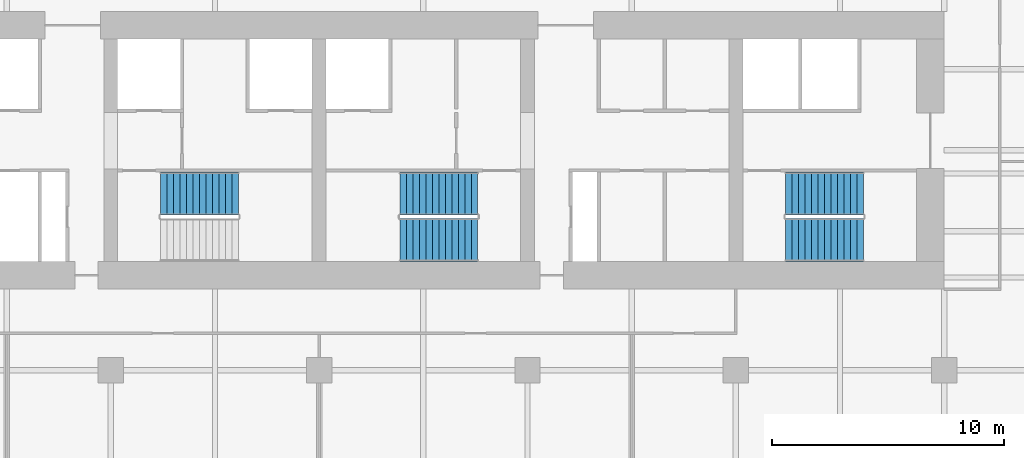
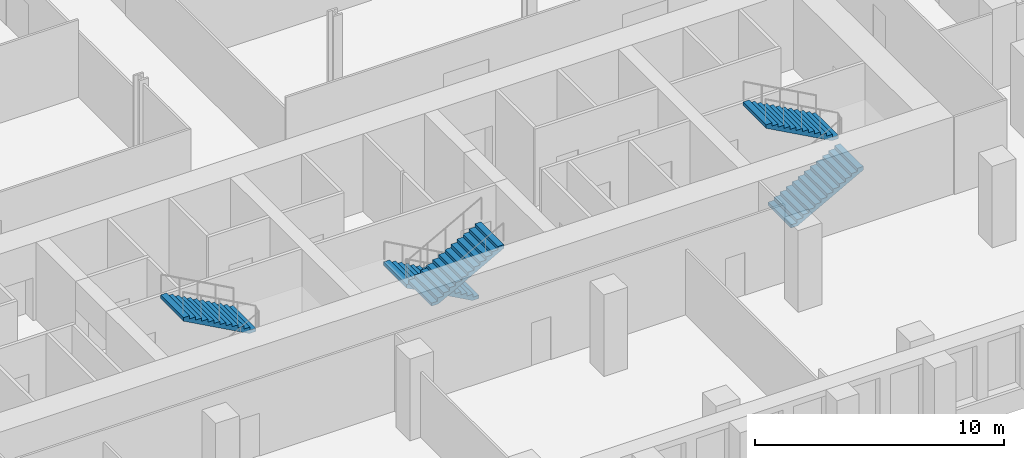
# One storey, part 9 of 11: 5 stair flights, 3 elements without a shape of their own.
"""IFC4 building model written with IfcOpenShell, lengths in metres."""

from ifc_helpers import new_model, si_unit, direction, frame, origin, place, context, subcontext, project, spatial, polyline, outline, extrude, material, type_object, element, aggregate, save


model = new_model("IFC4")

# Units and contexts
model_context = context("Model", 3, precision=1e-05, world=origin(), true_north=direction((0.0, 1.0)))
body_context = subcontext(model_context, "Body", "Model", "MODEL_VIEW")
ifc_project = project(units=[si_unit("LENGTHUNIT", "METRE"), si_unit("AREAUNIT", "SQUARE_METRE"), si_unit("VOLUMEUNIT", "CUBIC_METRE"), si_unit("PLANEANGLEUNIT", "RADIAN"), si_unit("MASSUNIT", "GRAM", prefix="KILO")], contexts=[model_context])

# Site, building, storey
site_placement = place(None, origin())
site = spatial("IfcSite", under=ifc_project, at=site_placement, CompositionType="ELEMENT")
building_placement = place(site_placement, origin())
building = spatial("IfcBuilding", under=site, at=building_placement, Name="Zellij Exchange Tower", CompositionType="ELEMENT")
storey_placement = place(building_placement, frame((0.0, 0.0, 80.5)))
storey = spatial("IfcBuildingStorey", under=building, at=storey_placement, Name="L16", CompositionType="ELEMENT", Elevation=80.5)

# Stair, stair flight
ifc_material = material(Name="Concrete C40/50", Category="concrete")
stair_type = type_object("IfcStairType", Name="CORE-ST exit stair 1850 wide", PredefinedType="HALF_TURN_STAIR", material=ifc_material)
stair_1_placement = place(storey_placement, origin())
stair_1 = element("IfcStair", 1, at=stair_1_placement, inside=storey, type_object=stair_type, Name="L16 exit stair ST2", PredefinedType="HALF_TURN_STAIR")
stair_flight_type = type_object("IfcStairFlightType", Name="CORE-SF flight 1850 riser 153.8 going 280", PredefinedType="STRAIGHT", material=ifc_material)
stair_flight_1_placement = place(storey_placement, frame((-3.489990234375, -9.875, 2.0), z_axis=(0.0, 0.0, 1.0), x_axis=(-1.0, 0.0, 0.0)))
stair_flight_1 = element("IfcStairFlight", 2, at=stair_flight_1_placement, type_object=stair_flight_type, Name="ST2 flight 2", NumberOfRisers=13, NumberOfTreads=12, PredefinedType="STRAIGHT", RiserHeight=0.153846154, TreadLength=0.28, context=body_context, shape_type="SweptSolid", body=[
    extrude(outline(polyline([(0.0, 0.0), (0.0, 0.15380859375), (0.280029296875, 0.15380859375), (0.280029296875, 0.3076171875), (0.56005859375, 0.3076171875), (0.56005859375, 0.46142578125), (0.840087890625, 0.46142578125), (0.840087890625, 0.615478515625), (1.1201171875, 0.615478515625), (1.1201171875, 0.769287109375), (1.39990234375, 0.769287109375), (1.39990234375, 0.923095703125), (1.679931640625, 0.923095703125), (1.679931640625, 1.076904296875), (1.9599609375, 1.076904296875), (1.9599609375, 1.230712890625), (2.239990234375, 1.230712890625), (2.239990234375, 1.384521484375), (2.52001953125, 1.384521484375), (2.52001953125, 1.53857421875), (2.800048828125, 1.53857421875), (2.800048828125, 1.6923828125), (3.080078125, 1.6923828125), (3.080078125, 1.84619140625), (3.360107421875, 1.84619140625), (3.360107421875, 2.0), (3.360107421875, 1.675048828125), (0.311279296875, 0.0), (0.0, 0.0)])), frame((0.0, 0.925048828125, 0.0), z_axis=(0.0, -1.0, 0.0), x_axis=(1.0, 0.0, 0.0)), (0.0, 0.0, 1.0), 1.85009765625),
])
aggregate(stair_1, [stair_flight_1])

# Stair, stair flights
stair_2_placement = place(storey_placement, origin())
stair_2 = element("IfcStair", 3, at=stair_2_placement, inside=storey, type_object=stair_type, Name="L16 exit stair ST3", PredefinedType="HALF_TURN_STAIR")
stair_flight_2_placement = place(storey_placement, frame((6.85009765625, -9.875, 0.0), z_axis=(0.0, 0.0, 1.0), x_axis=(-1.0, 0.0, 0.0)))
stair_flight_2 = element("IfcStairFlight", 4, at=stair_flight_2_placement, type_object=stair_flight_type, Name="ST3 flight 1", NumberOfRisers=13, NumberOfTreads=12, PredefinedType="STRAIGHT", RiserHeight=0.153846154, TreadLength=0.28, context=body_context, shape_type="SweptSolid", body=[
    extrude(outline(polyline([(0.0, 0.0), (0.0, 0.15380859375), (0.280029296875, 0.15380859375), (0.280029296875, 0.3076171875), (0.56005859375, 0.3076171875), (0.56005859375, 0.46142578125), (0.840087890625, 0.46142578125), (0.840087890625, 0.615478515625), (1.1201171875, 0.615478515625), (1.1201171875, 0.769287109375), (1.39990234375, 0.769287109375), (1.39990234375, 0.923095703125), (1.679931640625, 0.923095703125), (1.679931640625, 1.076904296875), (1.9599609375, 1.076904296875), (1.9599609375, 1.230712890625), (2.239990234375, 1.230712890625), (2.239990234375, 1.384521484375), (2.52001953125, 1.384521484375), (2.52001953125, 1.53857421875), (2.800048828125, 1.53857421875), (2.800048828125, 1.6923828125), (3.080078125, 1.6923828125), (3.080078125, 1.84619140625), (3.360107421875, 1.84619140625), (3.360107421875, 2.0), (3.360107421875, 1.675048828125), (0.311279296875, 0.0), (0.0, 0.0)])), frame((0.0, 0.925048828125, 0.0), z_axis=(0.0, -1.0, 0.0), x_axis=(1.0, 0.0, 0.0)), (0.0, 0.0, 1.0), 1.85009765625),
])
stair_flight_3_placement = place(storey_placement, frame((3.489990234375, -11.875, 2.0), z_axis=(0.0, 0.0, 1.0), x_axis=(1.0, 0.0, 0.0)))
stair_flight_3 = element("IfcStairFlight", 5, at=stair_flight_3_placement, type_object=stair_flight_type, Name="ST3 flight 2", NumberOfRisers=13, NumberOfTreads=12, PredefinedType="STRAIGHT", RiserHeight=0.153846154, TreadLength=0.28, context=body_context, shape_type="SweptSolid", body=[
    extrude(outline(polyline([(0.0, 0.0), (0.0, 0.15380859375), (0.280029296875, 0.15380859375), (0.280029296875, 0.3076171875), (0.56005859375, 0.3076171875), (0.56005859375, 0.46142578125), (0.840087890625, 0.46142578125), (0.840087890625, 0.615478515625), (1.1201171875, 0.615478515625), (1.1201171875, 0.769287109375), (1.39990234375, 0.769287109375), (1.39990234375, 0.923095703125), (1.679931640625, 0.923095703125), (1.679931640625, 1.076904296875), (1.9599609375, 1.076904296875), (1.9599609375, 1.230712890625), (2.239990234375, 1.230712890625), (2.239990234375, 1.384521484375), (2.52001953125, 1.384521484375), (2.52001953125, 1.53857421875), (2.800048828125, 1.53857421875), (2.800048828125, 1.6923828125), (3.080078125, 1.6923828125), (3.080078125, 1.84619140625), (3.360107421875, 1.84619140625), (3.360107421875, 2.0), (3.360107421875, 1.675048828125), (0.311279296875, 0.0), (0.0, 0.0)])), frame((0.0, 0.925048828125, 0.0), z_axis=(0.0, -1.0, 0.0), x_axis=(1.0, 0.0, 0.0)), (0.0, 0.0, 1.0), 1.85009765625),
])
aggregate(stair_2, [stair_flight_2, stair_flight_3])

stair_3_placement = place(storey_placement, origin())
stair_3 = element("IfcStair", 6, at=stair_3_placement, inside=storey, type_object=stair_type, Name="L16 exit stair ST4", PredefinedType="HALF_TURN_STAIR")
stair_flight_4_placement = place(storey_placement, frame((20.14990234375, -11.875, 0.0), z_axis=(0.0, 0.0, 1.0), x_axis=(1.0, 0.0, 0.0)))
stair_flight_4 = element("IfcStairFlight", 7, at=stair_flight_4_placement, type_object=stair_flight_type, Name="ST4 flight 1", NumberOfRisers=13, NumberOfTreads=12, PredefinedType="STRAIGHT", RiserHeight=0.153846154, TreadLength=0.28, context=body_context, shape_type="SweptSolid", body=[
    extrude(outline(polyline([(0.0, 0.0), (0.0, 0.15380859375), (0.280029296875, 0.15380859375), (0.280029296875, 0.3076171875), (0.56005859375, 0.3076171875), (0.56005859375, 0.46142578125), (0.840087890625, 0.46142578125), (0.840087890625, 0.615478515625), (1.1201171875, 0.615478515625), (1.1201171875, 0.769287109375), (1.39990234375, 0.769287109375), (1.39990234375, 0.923095703125), (1.679931640625, 0.923095703125), (1.679931640625, 1.076904296875), (1.9599609375, 1.076904296875), (1.9599609375, 1.230712890625), (2.239990234375, 1.230712890625), (2.239990234375, 1.384521484375), (2.52001953125, 1.384521484375), (2.52001953125, 1.53857421875), (2.800048828125, 1.53857421875), (2.800048828125, 1.6923828125), (3.080078125, 1.6923828125), (3.080078125, 1.84619140625), (3.360107421875, 1.84619140625), (3.360107421875, 2.0), (3.360107421875, 1.675048828125), (0.311279296875, 0.0), (0.0, 0.0)])), frame((0.0, 0.925048828125, 0.0), z_axis=(0.0, -1.0, 0.0), x_axis=(1.0, 0.0, 0.0)), (0.0, 0.0, 1.0), 1.85009765625),
])
stair_flight_5_placement = place(storey_placement, frame((23.510009765625, -9.875, 2.0), z_axis=(0.0, 0.0, 1.0), x_axis=(-1.0, 0.0, 0.0)))
stair_flight_5 = element("IfcStairFlight", 8, at=stair_flight_5_placement, type_object=stair_flight_type, Name="ST4 flight 2", NumberOfRisers=13, NumberOfTreads=12, PredefinedType="STRAIGHT", RiserHeight=0.153846154, TreadLength=0.28, context=body_context, shape_type="SweptSolid", body=[
    extrude(outline(polyline([(0.0, 0.0), (0.0, 0.15380859375), (0.280029296875, 0.15380859375), (0.280029296875, 0.3076171875), (0.56005859375, 0.3076171875), (0.56005859375, 0.46142578125), (0.840087890625, 0.46142578125), (0.840087890625, 0.615478515625), (1.1201171875, 0.615478515625), (1.1201171875, 0.769287109375), (1.39990234375, 0.769287109375), (1.39990234375, 0.923095703125), (1.679931640625, 0.923095703125), (1.679931640625, 1.076904296875), (1.9599609375, 1.076904296875), (1.9599609375, 1.230712890625), (2.239990234375, 1.230712890625), (2.239990234375, 1.384521484375), (2.52001953125, 1.384521484375), (2.52001953125, 1.53857421875), (2.800048828125, 1.53857421875), (2.800048828125, 1.6923828125), (3.080078125, 1.6923828125), (3.080078125, 1.84619140625), (3.360107421875, 1.84619140625), (3.360107421875, 2.0), (3.360107421875, 1.675048828125), (0.311279296875, 0.0), (0.0, 0.0)])), frame((0.0, 0.925048828125, 0.0), z_axis=(0.0, -1.0, 0.0), x_axis=(1.0, 0.0, 0.0)), (0.0, 0.0, 1.0), 1.85009765625),
])
aggregate(stair_3, [stair_flight_4, stair_flight_5])

save(model, "model.ifc")
